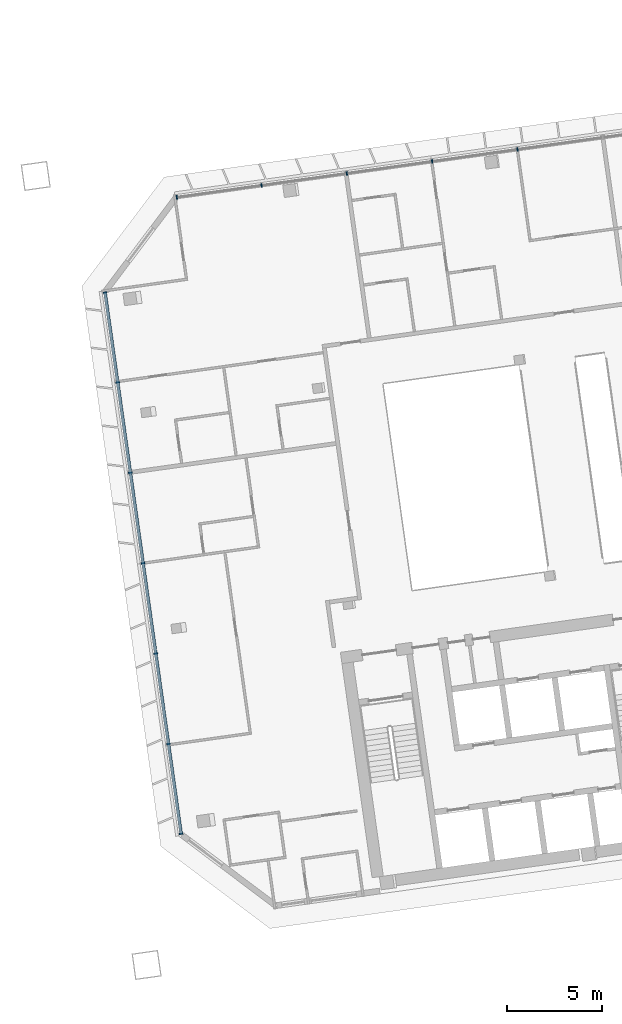
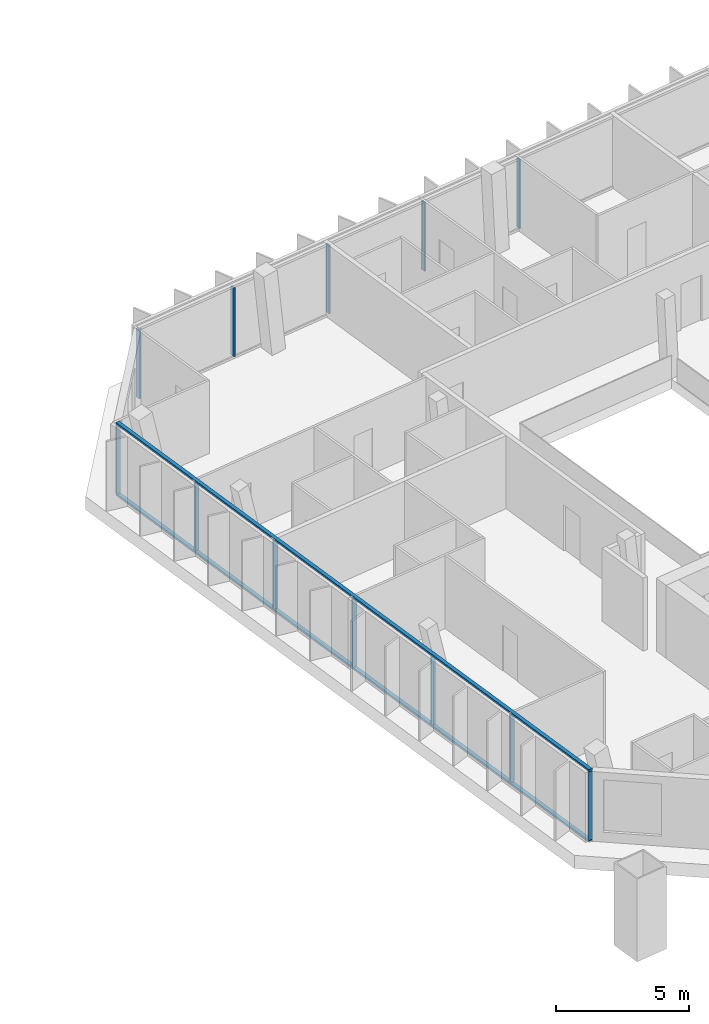
# One storey, part 9 of 26: 14 members, 2 elements without a shape of their own.
"""IFC4 building model written with IfcOpenShell, lengths in metres."""

from ifc_helpers import new_model, si_unit, direction, frame, origin, origin_2d, place, context, subcontext, project, spatial, rectangle, extrude, material, material_profile, profile_set, type_object, element, aggregate, save


model = new_model("IFC4")

# Units and contexts
model_context = context("Model", 3, precision=1e-05, world=origin(), true_north=direction((0.0, 1.0)))
body_context = subcontext(model_context, "Body", "Model", "MODEL_VIEW")
ifc_project = project(units=[si_unit("LENGTHUNIT", "METRE"), si_unit("AREAUNIT", "SQUARE_METRE"), si_unit("VOLUMEUNIT", "CUBIC_METRE"), si_unit("PLANEANGLEUNIT", "RADIAN"), si_unit("MASSUNIT", "GRAM", prefix="KILO")], contexts=[model_context])

# Site, building, storey
site_placement = place(None, origin())
site = spatial("IfcSite", under=ifc_project, at=site_placement, CompositionType="ELEMENT")
building_placement = place(site_placement, origin())
building = spatial("IfcBuilding", under=site, at=building_placement, Name="Mirante Cascada Hotel Towers", CompositionType="ELEMENT")
storey_placement = place(building_placement, frame((0.0, 0.0, 216.6)))
storey = spatial("IfcBuildingStorey", under=building, at=storey_placement, Name="L51", CompositionType="ELEMENT", Elevation=216.6)

# Curtain wall, members
ifc_material_1 = material(Name="Aluminium mullion and transom frame with clear laminated glass", Category="aluminium")
curtain_wall_type_1 = type_object("IfcCurtainWallType", Name="Ribbon curtain wall ECW1", PredefinedType="NOTDEFINED", material=ifc_material_1)
curtain_wall_1_placement = place(storey_placement, origin())
curtain_wall_1 = element("IfcCurtainWall", 1, at=curtain_wall_1_placement, inside=storey, type_object=curtain_wall_type_1, Name="Front ribbon wall T2 L51", PredefinedType="NOTDEFINED")
ifc_material_2 = material(Name="Anodised aluminium extrusion", Category="aluminium")
ifc_material_profile_1 = material_profile(ifc_material_2, rectangle(XDim=0.2, YDim=0.065, at=origin_2d()), Name="ECW1 MULLION 65x200")
ifc_profile_set_1 = profile_set([ifc_material_profile_1], Name="Anodised aluminium extrusion")
member_type_1 = type_object("IfcMemberType", Name="ECW1 mullion 65x200", PredefinedType="MULLION", material=ifc_profile_set_1)
member_1_placement = place(storey_placement, frame((44.9356, 19.1343, 0.1), z_axis=(0.0, 0.0, 1.0), x_axis=(0.1391731, -0.9902681, 0.0)))
member_1 = element("IfcMember", 2, at=member_1_placement, type_object=member_type_1, Name="ECW1 mullion 6", PredefinedType="MULLION", context=body_context, shape_type="SweptSolid", body=[
    extrude(rectangle(XDim=0.2, YDim=0.065, at=origin_2d()), origin(), (0.0, 0.0, 1.0), 3.15),
])
member_2_placement = place(storey_placement, frame((40.4385, 18.5023, 0.1), z_axis=(0.0, 0.0, 1.0), x_axis=(0.1391731, -0.9902681, 0.0)))
member_2 = element("IfcMember", 3, at=member_2_placement, type_object=member_type_1, Name="ECW1 mullion 7", PredefinedType="MULLION", context=body_context, shape_type="SweptSolid", body=[
    extrude(rectangle(XDim=0.2, YDim=0.065, at=origin_2d()), origin(), (0.0, 0.0, 1.0), 3.15),
])
member_3_placement = place(storey_placement, frame((35.9415, 17.8703, 0.1), z_axis=(0.0, 0.0, 1.0), x_axis=(0.1391731, -0.9902681, 0.0)))
member_3 = element("IfcMember", 4, at=member_3_placement, type_object=member_type_1, Name="ECW1 mullion 8", PredefinedType="MULLION", context=body_context, shape_type="SweptSolid", body=[
    extrude(rectangle(XDim=0.2, YDim=0.065, at=origin_2d()), origin(), (0.0, 0.0, 1.0), 3.15),
])
member_4_placement = place(storey_placement, frame((31.4444, 17.2382, 0.1), z_axis=(0.0, 0.0, 1.0), x_axis=(0.1391731, -0.9902681, 0.0)))
member_4 = element("IfcMember", 5, at=member_4_placement, type_object=member_type_1, Name="ECW1 mullion 9", PredefinedType="MULLION", context=body_context, shape_type="SweptSolid", body=[
    extrude(rectangle(XDim=0.2, YDim=0.065, at=origin_2d()), origin(), (0.0, 0.0, 1.0), 3.15),
])
member_5_placement = place(storey_placement, frame((26.9795, 16.6108, 0.1), z_axis=(0.0, 0.0, 1.0), x_axis=(0.1391731, -0.9902681, 0.0)))
member_5 = element("IfcMember", 6, at=member_5_placement, type_object=member_type_1, Name="ECW1 mullion 10", PredefinedType="MULLION", context=body_context, shape_type="SweptSolid", body=[
    extrude(rectangle(XDim=0.2, YDim=0.065, at=origin_2d()), origin(), (0.0, 0.0, 1.0), 3.15),
])
aggregate(curtain_wall_1, [member_1, member_2, member_3, member_4, member_5])

ifc_material_3 = material(Name="Aluminium mullion and transom frame with clear laminated glass", Category="aluminium")
curtain_wall_type_2 = type_object("IfcCurtainWallType", Name="End ribbon curtain wall ECW2", PredefinedType="NOTDEFINED", material=ifc_material_3)
curtain_wall_2_placement = place(storey_placement, origin())
curtain_wall_2 = element("IfcCurtainWall", 7, at=curtain_wall_2_placement, inside=storey, type_object=curtain_wall_type_2, Name="Inner end wall T2 L51", PredefinedType="NOTDEFINED")
ifc_material_4 = material(Name="Anodised aluminium extrusion", Category="aluminium")
ifc_material_profile_2 = material_profile(ifc_material_4, rectangle(XDim=0.2, YDim=0.065, at=origin_2d()), Name="ECW2 MULLION 65x200")
ifc_profile_set_2 = profile_set([ifc_material_profile_2], Name="Anodised aluminium extrusion")
member_type_2 = type_object("IfcMemberType", Name="ECW2 mullion 65x200", PredefinedType="MULLION", material=ifc_profile_set_2)
member_6_placement = place(storey_placement, frame((23.1967, 11.5908, 0.1), z_axis=(0.0, 0.0, 1.0), x_axis=(0.9902681, 0.1391731, 0.0)))
member_6 = element("IfcMember", 8, at=member_6_placement, type_object=member_type_2, Name="ECW2 mullion 1", PredefinedType="MULLION", context=body_context, shape_type="SweptSolid", body=[
    extrude(rectangle(XDim=0.2, YDim=0.065, at=origin_2d()), origin(), (0.0, 0.0, 1.0), 3.15),
])
member_7_placement = place(storey_placement, frame((23.862, 6.8572, 0.1), z_axis=(0.0, 0.0, 1.0), x_axis=(0.9902681, 0.1391731, 0.0)))
member_7 = element("IfcMember", 9, at=member_7_placement, type_object=member_type_2, Name="ECW2 mullion 2", PredefinedType="MULLION", context=body_context, shape_type="SweptSolid", body=[
    extrude(rectangle(XDim=0.2, YDim=0.065, at=origin_2d()), origin(), (0.0, 0.0, 1.0), 3.15),
])
member_8_placement = place(storey_placement, frame((24.5318, 2.0914, 0.1), z_axis=(0.0, 0.0, 1.0), x_axis=(0.9902681, 0.1391731, 0.0)))
member_8 = element("IfcMember", 10, at=member_8_placement, type_object=member_type_2, Name="ECW2 mullion 3", PredefinedType="MULLION", context=body_context, shape_type="SweptSolid", body=[
    extrude(rectangle(XDim=0.2, YDim=0.065, at=origin_2d()), origin(), (0.0, 0.0, 1.0), 3.15),
])
member_9_placement = place(storey_placement, frame((25.2016, -2.6744, 0.1), z_axis=(0.0, 0.0, 1.0), x_axis=(0.9902681, 0.1391731, 0.0)))
member_9 = element("IfcMember", 11, at=member_9_placement, type_object=member_type_2, Name="ECW2 mullion 4", PredefinedType="MULLION", context=body_context, shape_type="SweptSolid", body=[
    extrude(rectangle(XDim=0.2, YDim=0.065, at=origin_2d()), origin(), (0.0, 0.0, 1.0), 3.15),
])
member_10_placement = place(storey_placement, frame((25.8714, -7.4402, 0.1), z_axis=(0.0, 0.0, 1.0), x_axis=(0.9902681, 0.1391731, 0.0)))
member_10 = element("IfcMember", 12, at=member_10_placement, type_object=member_type_2, Name="ECW2 mullion 5", PredefinedType="MULLION", context=body_context, shape_type="SweptSolid", body=[
    extrude(rectangle(XDim=0.2, YDim=0.065, at=origin_2d()), origin(), (0.0, 0.0, 1.0), 3.15),
])
member_11_placement = place(storey_placement, frame((26.5412, -12.2059, 0.1), z_axis=(0.0, 0.0, 1.0), x_axis=(0.9902681, 0.1391731, 0.0)))
member_11 = element("IfcMember", 13, at=member_11_placement, type_object=member_type_2, Name="ECW2 mullion 6", PredefinedType="MULLION", context=body_context, shape_type="SweptSolid", body=[
    extrude(rectangle(XDim=0.2, YDim=0.065, at=origin_2d()), origin(), (0.0, 0.0, 1.0), 3.15),
])
member_12_placement = place(storey_placement, frame((27.2064, -16.9396, 0.1), z_axis=(0.0, 0.0, 1.0), x_axis=(0.9902681, 0.1391731, 0.0)))
member_12 = element("IfcMember", 14, at=member_12_placement, type_object=member_type_2, Name="ECW2 mullion 7", PredefinedType="MULLION", context=body_context, shape_type="SweptSolid", body=[
    extrude(rectangle(XDim=0.2, YDim=0.065, at=origin_2d()), origin(), (0.0, 0.0, 1.0), 3.15),
])
ifc_material_5 = material(Name="Anodised aluminium extrusion", Category="aluminium")
ifc_material_profile_3 = material_profile(ifc_material_5, rectangle(XDim=0.16, YDim=0.1, at=origin_2d()), Name="ECW2 TRANSOM 100x160")
ifc_profile_set_3 = profile_set([ifc_material_profile_3], Name="Anodised aluminium extrusion")
member_type_3 = type_object("IfcMemberType", Name="ECW2 transom 100x160", PredefinedType="USERDEFINED", material=ifc_profile_set_3)
member_13_placement = place(storey_placement, frame((23.1922, 11.623, 0.05), z_axis=(0.1391723, -0.9902682, 0.0), x_axis=(0.9902682, 0.1391723, 0.0)))
member_13 = element("IfcMember", 15, at=member_13_placement, type_object=member_type_3, Name="ECW2 sill transom", ObjectType="TRANSOM", PredefinedType="USERDEFINED", context=body_context, shape_type="SweptSolid", body=[
    extrude(rectangle(XDim=0.16, YDim=0.1, at=origin_2d()), origin(), (0.0, 0.0, 1.0), 28.8757),
])
member_14_placement = place(storey_placement, frame((23.1922, 11.623, 3.3), z_axis=(0.1391723, -0.9902682, 0.0), x_axis=(0.9902682, 0.1391723, 0.0)))
member_14 = element("IfcMember", 16, at=member_14_placement, type_object=member_type_3, Name="ECW2 head transom", ObjectType="TRANSOM", PredefinedType="USERDEFINED", context=body_context, shape_type="SweptSolid", body=[
    extrude(rectangle(XDim=0.16, YDim=0.1, at=origin_2d()), origin(), (0.0, 0.0, 1.0), 28.8757),
])
aggregate(curtain_wall_2, [member_13, member_14, member_6, member_7, member_8, member_9, member_10, member_11, member_12])

save(model, "model.ifc")
